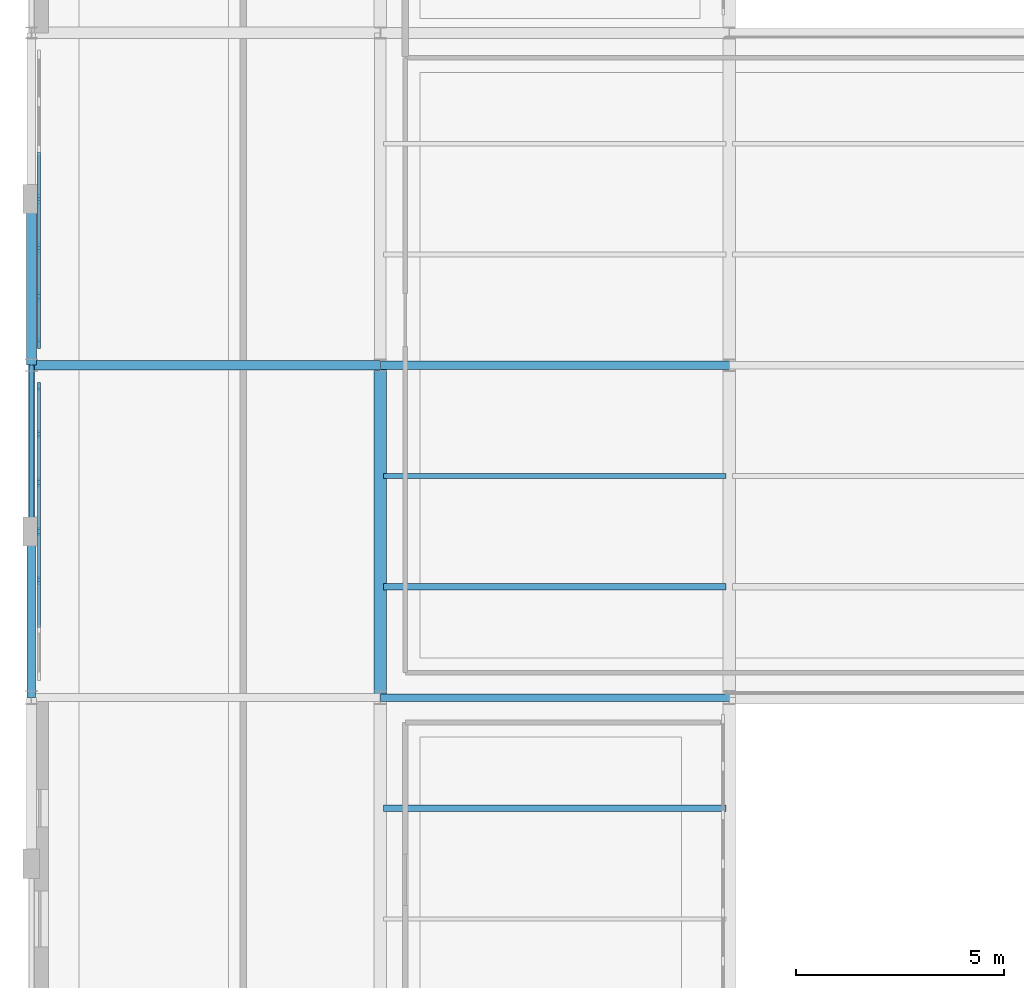
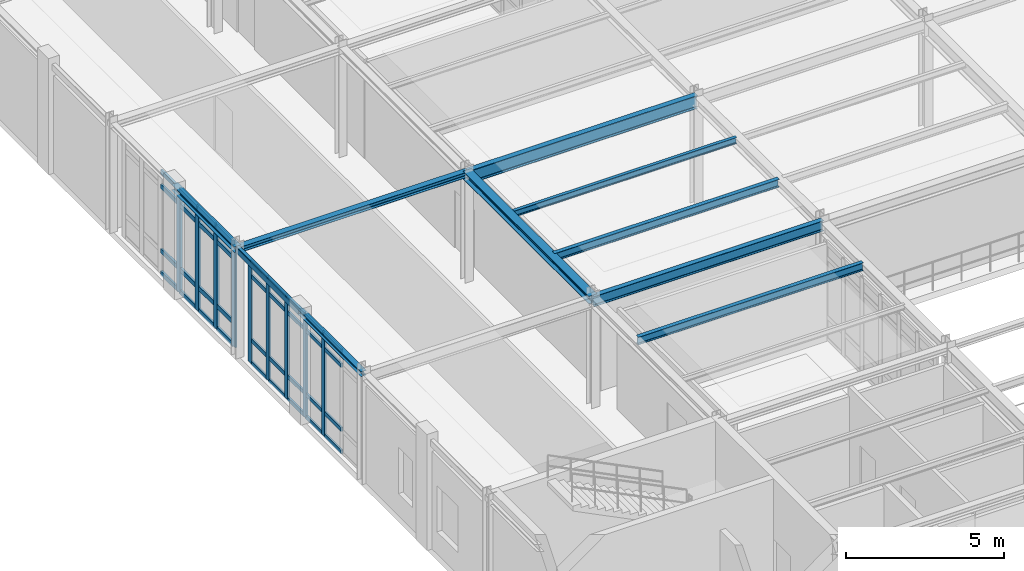
# One storey, part 29 of 106: 45 members, 10 beams, 2 elements without a shape of their own.
"""IFC4 building model written with IfcOpenShell, lengths in metres."""

from ifc_helpers import new_model, si_unit, derived_unit, direction, frame, origin, origin_2d, place, context, subcontext, project, spatial, rectangle, hollow_rectangle, i_section, extrude, material, layer, layer_set, material_profile, profile_set, type_object, element, aggregate, save


model = new_model("IFC4")

# Units and contexts
model_context = context("Model", 3, precision=1e-05, world=origin(), true_north=direction((0.0, 1.0)))
body_context = subcontext(model_context, "Body", "Model", "MODEL_VIEW")
ifc_project = project(units=[si_unit("LENGTHUNIT", "METRE"), si_unit("AREAUNIT", "SQUARE_METRE"), si_unit("VOLUMEUNIT", "CUBIC_METRE"), si_unit("PLANEANGLEUNIT", "RADIAN"), si_unit("MASSUNIT", "GRAM", prefix="KILO"), derived_unit("THERMALTRANSMITTANCEUNIT", [(si_unit("POWERUNIT", "WATT"), 1), (si_unit("AREAUNIT", "SQUARE_METRE"), -1), (si_unit("THERMODYNAMICTEMPERATUREUNIT", "KELVIN"), -1)])], contexts=[model_context])

# Site, building, storey
site_placement = place(None, origin())
site = spatial("IfcSite", under=ifc_project, at=site_placement, CompositionType="ELEMENT")
building_placement = place(site_placement, origin())
building = spatial("IfcBuilding", under=site, at=building_placement, Name="Yasenodar Specialist Clinic", CompositionType="ELEMENT")
storey_placement = place(building_placement, frame((0.0, 0.0, 4.5)))
storey = spatial("IfcBuildingStorey", under=building, at=storey_placement, Name="L01", CompositionType="ELEMENT", Elevation=4.5)

# Beams
ifc_material_1 = material(Name="Steel S355", Category="steel")
ifc_material_profile_1 = material_profile(ifc_material_1, i_section(OverallWidth=0.219970703125, OverallDepth=0.2099609375, WebThickness=0.007080078125, FlangeThickness=0.010986328125, FilletRadius=0.01806640625, at=origin_2d()), Name="HEA 220")
ifc_profile_set_1 = profile_set([ifc_material_profile_1], Name="Steel S355")
beam_type_1 = type_object("IfcBeamType", Name="BM-HEA220", PredefinedType="BEAM", material=ifc_profile_set_1)
beam_1_placement = place(storey_placement, frame((0.0, 58.800048828125, 4.14501953125), z_axis=(1.0, 0.0, 0.0), x_axis=(0.0, 1.0, 0.0)))
element("IfcBeam", 1, at=beam_1_placement, inside=storey, type_object=beam_type_1, Name="L01 Primary E-W Girder", PredefinedType="BEAM", context=body_context, shape_type="SweptSolid", body=[
    extrude(i_section(OverallWidth=0.219970703125, OverallDepth=0.2099609375, WebThickness=0.007080078125, FlangeThickness=0.010986328125, FilletRadius=0.01806640625, at=origin_2d()), origin(), (0.0, 0.0, 1.0), 8.39990234375),
])
ifc_material_profile_2 = material_profile(ifc_material_1, i_section(OverallWidth=0.300048828125, OverallDepth=0.300048828125, WebThickness=0.010986328125, FlangeThickness=0.01904296875, FilletRadius=0.027099609375, at=origin_2d()), Name="HEB 300")
ifc_profile_set_2 = profile_set([ifc_material_profile_2], Name="Steel S355")
beam_type_2 = type_object("IfcBeamType", Name="BM-HEB300", PredefinedType="BEAM", material=ifc_profile_set_2)
beam_2_placement = place(storey_placement, frame((8.39990234375, 50.800048828125, 4.10009765625), z_axis=(0.0, 1.0, 0.0), x_axis=(-1.0, 0.0, 0.0)))
element("IfcBeam", 2, at=beam_2_placement, inside=storey, type_object=beam_type_2, Name="L01 Primary N-S Girder", PredefinedType="BEAM", context=body_context, shape_type="SweptSolid", body=[
    extrude(i_section(OverallWidth=0.300048828125, OverallDepth=0.300048828125, WebThickness=0.010986328125, FlangeThickness=0.01904296875, FilletRadius=0.027099609375, at=origin_2d()), origin(), (0.0, 0.0, 1.0), 8.0),
])
ifc_material_profile_3 = material_profile(ifc_material_1, i_section(OverallWidth=0.179931640625, OverallDepth=0.39990234375, WebThickness=0.008544921875, FlangeThickness=0.013427734375, FilletRadius=0.02099609375, at=origin_2d()), Name="IPE 400")
ifc_profile_set_3 = profile_set([ifc_material_profile_3], Name="Steel S355")
beam_type_3 = type_object("IfcBeamType", Name="BM-IPE400", PredefinedType="BEAM", material=ifc_profile_set_3)
beam_3_placement = place(storey_placement, frame((8.39990234375, 50.800048828125, 4.050048828125), z_axis=(1.0, 0.0, 0.0), x_axis=(0.0, 1.0, 0.0)))
element("IfcBeam", 3, at=beam_3_placement, inside=storey, type_object=beam_type_3, Name="L01 Primary E-W Girder", PredefinedType="BEAM", context=body_context, shape_type="SweptSolid", body=[
    extrude(i_section(OverallWidth=0.179931640625, OverallDepth=0.39990234375, WebThickness=0.008544921875, FlangeThickness=0.013427734375, FilletRadius=0.02099609375, at=origin_2d()), origin(), (0.0, 0.0, 1.0), 8.400146484375),
])
ifc_material_profile_4 = material_profile(ifc_material_1, i_section(OverallWidth=0.199951171875, OverallDepth=0.5, WebThickness=0.01025390625, FlangeThickness=0.01611328125, FilletRadius=0.02099609375, at=origin_2d()), Name="IPE 500")
ifc_profile_set_4 = profile_set([ifc_material_profile_4], Name="Steel S355")
beam_type_4 = type_object("IfcBeamType", Name="BM-IPE500", PredefinedType="BEAM", material=ifc_profile_set_4)
beam_4_placement = place(storey_placement, frame((8.39990234375, 58.800048828125, 4.0), z_axis=(1.0, 0.0, 0.0), x_axis=(0.0, 1.0, 0.0)))
element("IfcBeam", 4, at=beam_4_placement, inside=storey, type_object=beam_type_4, Name="L01 Primary E-W Girder", PredefinedType="BEAM", context=body_context, shape_type="SweptSolid", body=[
    extrude(i_section(OverallWidth=0.199951171875, OverallDepth=0.5, WebThickness=0.01025390625, FlangeThickness=0.01611328125, FilletRadius=0.02099609375, at=origin_2d()), origin(), (0.0, 0.0, 1.0), 8.400146484375),
])

# Curtain wall, members
ifc_material_2 = material(Name="Bronze Anodized Aluminium and Triple Low-E Glass", Category="aluminium")
ifc_layer = layer(ifc_material_2, 0.22705078125)
ifc_layer_set = layer_set([ifc_layer], Name="Bronze Anodized Aluminium and Triple Low-E Glass")
curtain_wall_type = type_object("IfcCurtainWallType", Name="CW-SYS-06", PredefinedType="USERDEFINED", material=ifc_layer_set)
curtain_wall_1_placement = place(storey_placement, origin())
curtain_wall_1 = element("IfcCurtainWall", 5, at=curtain_wall_1_placement, inside=storey, type_object=curtain_wall_type, Name="L01 Unitised Curtain Wall 119", ObjectType="UNITISED CURTAIN WALL", PredefinedType="USERDEFINED")
ifc_material_3 = material(Name="Bronze Anodized Aluminium", Category="aluminium")
ifc_material_profile_5 = material_profile(ifc_material_3, rectangle(XDim=0.070068359375, YDim=0.199951171875, at=origin_2d()), Name="CW-MULL 70x200")
ifc_profile_set_5 = profile_set([ifc_material_profile_5], Name="Bronze Anodized Aluminium")
member_type_1 = type_object("IfcMemberType", Name="CW-MULL-200", PredefinedType="MULLION", material=ifc_profile_set_5)
member_1_placement = place(storey_placement, frame((0.179931640625, 53.626708984375, 0.0), z_axis=(0.0, 0.0, 1.0), x_axis=(-1.0, 0.0, 0.0)))
member_1 = element("IfcMember", 6, at=member_1_placement, type_object=member_type_1, Name="CW-06 mullion 3", PredefinedType="MULLION", context=body_context, shape_type="SweptSolid", body=[
    extrude(rectangle(XDim=0.070068359375, YDim=0.199951171875, at=origin_2d()), origin(), (0.0, 0.0, 1.0), 3.97802734375),
])
member_2_placement = place(storey_placement, frame((0.179931640625, 54.800048828125, 0.0), z_axis=(0.0, 0.0, 1.0), x_axis=(-1.0, 0.0, 0.0)))
member_2 = element("IfcMember", 7, at=member_2_placement, type_object=member_type_1, Name="CW-06 mullion 4", PredefinedType="MULLION", context=body_context, shape_type="SweptSolid", body=[
    extrude(rectangle(XDim=0.070068359375, YDim=0.199951171875, at=origin_2d()), origin(), (0.0, 0.0, 1.0), 3.97802734375),
])
member_3_placement = place(storey_placement, frame((0.179931640625, 55.973388671875, 0.0), z_axis=(0.0, 0.0, 1.0), x_axis=(-1.0, 0.0, 0.0)))
member_3 = element("IfcMember", 8, at=member_3_placement, type_object=member_type_1, Name="CW-06 mullion 5", PredefinedType="MULLION", context=body_context, shape_type="SweptSolid", body=[
    extrude(rectangle(XDim=0.070068359375, YDim=0.199951171875, at=origin_2d()), origin(), (0.0, 0.0, 1.0), 3.97802734375),
])
member_4_placement = place(storey_placement, frame((0.179931640625, 57.146728515625, 0.0), z_axis=(0.0, 0.0, 1.0), x_axis=(-1.0, 0.0, 0.0)))
member_4 = element("IfcMember", 9, at=member_4_placement, type_object=member_type_1, Name="CW-06 mullion 6", PredefinedType="MULLION", context=body_context, shape_type="SweptSolid", body=[
    extrude(rectangle(XDim=0.070068359375, YDim=0.199951171875, at=origin_2d()), origin(), (0.0, 0.0, 1.0), 3.97802734375),
])
member_5_placement = place(storey_placement, frame((0.179931640625, 58.284912109375, 0.0), z_axis=(0.0, 0.0, 1.0), x_axis=(-1.0, 0.0, 0.0)))
member_5 = element("IfcMember", 10, at=member_5_placement, type_object=member_type_1, Name="CW-06 mullion 7", PredefinedType="MULLION", context=body_context, shape_type="SweptSolid", body=[
    extrude(rectangle(XDim=0.070068359375, YDim=0.199951171875, at=origin_2d()), origin(), (0.0, 0.0, 1.0), 3.97802734375),
])

curtain_wall_2_placement = place(storey_placement, origin())
curtain_wall_2 = element("IfcCurtainWall", 11, at=curtain_wall_2_placement, inside=storey, type_object=curtain_wall_type, Name="L01 Unitised Curtain Wall 120", ObjectType="UNITISED CURTAIN WALL", PredefinedType="USERDEFINED")
ifc_material_profile_6 = material_profile(ifc_material_3, rectangle(XDim=0.074951171875, YDim=0.22509765625, at=origin_2d()), Name="CW-MULL 75x225")
ifc_profile_set_6 = profile_set([ifc_material_profile_6], Name="Bronze Anodized Aluminium")
member_type_2 = type_object("IfcMemberType", Name="CW-MULL-225", PredefinedType="MULLION", material=ifc_profile_set_6)
member_6_placement = place(storey_placement, frame((0.179931640625, 59.3173828125, 0.0), z_axis=(0.0, 0.0, 1.0), x_axis=(-1.0, 0.0, 0.0)))
member_6 = element("IfcMember", 12, at=member_6_placement, type_object=member_type_2, Name="CW-06 mullion 1", PredefinedType="MULLION", context=body_context, shape_type="SweptSolid", body=[
    extrude(rectangle(XDim=0.074951171875, YDim=0.22509765625, at=origin_2d()), origin(), (0.0, 0.0, 1.0), 3.998046875),
])
member_7_placement = place(storey_placement, frame((0.179931640625, 60.453369140625, 0.0), z_axis=(0.0, 0.0, 1.0), x_axis=(-1.0, 0.0, 0.0)))
member_7 = element("IfcMember", 13, at=member_7_placement, type_object=member_type_2, Name="CW-06 mullion 2", PredefinedType="MULLION", context=body_context, shape_type="SweptSolid", body=[
    extrude(rectangle(XDim=0.074951171875, YDim=0.22509765625, at=origin_2d()), origin(), (0.0, 0.0, 1.0), 3.998046875),
])
member_8_placement = place(storey_placement, frame((0.179931640625, 61.626708984375, 0.0), z_axis=(0.0, 0.0, 1.0), x_axis=(-1.0, 0.0, 0.0)))
member_8 = element("IfcMember", 14, at=member_8_placement, type_object=member_type_2, Name="CW-06 mullion 3", PredefinedType="MULLION", context=body_context, shape_type="SweptSolid", body=[
    extrude(rectangle(XDim=0.074951171875, YDim=0.22509765625, at=origin_2d()), origin(), (0.0, 0.0, 1.0), 3.998046875),
])
member_9_placement = place(storey_placement, frame((0.179931640625, 62.800048828125, 0.0), z_axis=(0.0, 0.0, 1.0), x_axis=(-1.0, 0.0, 0.0)))
member_9 = element("IfcMember", 15, at=member_9_placement, type_object=member_type_2, Name="CW-06 mullion 4", PredefinedType="MULLION", context=body_context, shape_type="SweptSolid", body=[
    extrude(rectangle(XDim=0.074951171875, YDim=0.22509765625, at=origin_2d()), origin(), (0.0, 0.0, 1.0), 3.998046875),
])

# Member
ifc_material_profile_7 = material_profile(ifc_material_3, rectangle(XDim=0.070068359375, YDim=0.14990234375, at=origin_2d()), Name="CW-TRAN 70x150")
ifc_profile_set_7 = profile_set([ifc_material_profile_7], Name="Bronze Anodized Aluminium")
member_type_3 = type_object("IfcMemberType", Name="CW-TRAN-150", PredefinedType="USERDEFINED", material=ifc_profile_set_7)
member_10_placement = place(storey_placement, frame((0.179931640625, 52.48828125, 0.034912109375), z_axis=(0.0, 1.0, 0.0), x_axis=(-1.0, 0.0, 0.0)))
member_10 = element("IfcMember", 16, at=member_10_placement, type_object=member_type_3, Name="CW-06 transom 2.1", ObjectType="TRANSOM", PredefinedType="USERDEFINED", context=body_context, shape_type="SweptSolid", body=[
    extrude(rectangle(XDim=0.070068359375, YDim=0.14990234375, at=origin_2d()), origin(), (0.0, 0.0, 1.0), 1.103271484375),
])

member_11_placement = place(storey_placement, frame((0.179931640625, 52.48828125, 0.89990234375), z_axis=(0.0, 1.0, 0.0), x_axis=(-1.0, 0.0, 0.0)))
member_11 = element("IfcMember", 17, at=member_11_placement, type_object=member_type_3, Name="CW-06 transom 2.2", ObjectType="TRANSOM", PredefinedType="USERDEFINED", context=body_context, shape_type="SweptSolid", body=[
    extrude(rectangle(XDim=0.070068359375, YDim=0.14990234375, at=origin_2d()), origin(), (0.0, 0.0, 1.0), 1.103271484375),
])

member_12_placement = place(storey_placement, frame((0.179931640625, 52.48828125, 3.3779296875), z_axis=(0.0, 1.0, 0.0), x_axis=(-1.0, 0.0, 0.0)))
member_12 = element("IfcMember", 18, at=member_12_placement, type_object=member_type_3, Name="CW-06 transom 2.3", ObjectType="TRANSOM", PredefinedType="USERDEFINED", context=body_context, shape_type="SweptSolid", body=[
    extrude(rectangle(XDim=0.070068359375, YDim=0.14990234375, at=origin_2d()), origin(), (0.0, 0.0, 1.0), 1.103271484375),
])

member_13_placement = place(storey_placement, frame((0.179931640625, 52.48828125, 3.943115234375), z_axis=(0.0, 1.0, 0.0), x_axis=(-1.0, 0.0, 0.0)))
member_13 = element("IfcMember", 19, at=member_13_placement, type_object=member_type_3, Name="CW-06 transom 2.4", ObjectType="TRANSOM", PredefinedType="USERDEFINED", context=body_context, shape_type="SweptSolid", body=[
    extrude(rectangle(XDim=0.070068359375, YDim=0.14990234375, at=origin_2d()), origin(), (0.0, 0.0, 1.0), 1.103271484375),
])

member_14_placement = place(storey_placement, frame((0.179931640625, 53.66162109375, 0.034912109375), z_axis=(0.0, 1.0, 0.0), x_axis=(-1.0, 0.0, 0.0)))
member_14 = element("IfcMember", 20, at=member_14_placement, type_object=member_type_3, Name="CW-06 transom 3.1", ObjectType="TRANSOM", PredefinedType="USERDEFINED", context=body_context, shape_type="SweptSolid", body=[
    extrude(rectangle(XDim=0.070068359375, YDim=0.14990234375, at=origin_2d()), origin(), (0.0, 0.0, 1.0), 1.103271484375),
])

member_15_placement = place(storey_placement, frame((0.179931640625, 53.66162109375, 0.89990234375), z_axis=(0.0, 1.0, 0.0), x_axis=(-1.0, 0.0, 0.0)))
member_15 = element("IfcMember", 21, at=member_15_placement, type_object=member_type_3, Name="CW-06 transom 3.2", ObjectType="TRANSOM", PredefinedType="USERDEFINED", context=body_context, shape_type="SweptSolid", body=[
    extrude(rectangle(XDim=0.070068359375, YDim=0.14990234375, at=origin_2d()), origin(), (0.0, 0.0, 1.0), 1.103271484375),
])

member_16_placement = place(storey_placement, frame((0.179931640625, 53.66162109375, 3.3779296875), z_axis=(0.0, 1.0, 0.0), x_axis=(-1.0, 0.0, 0.0)))
member_16 = element("IfcMember", 22, at=member_16_placement, type_object=member_type_3, Name="CW-06 transom 3.3", ObjectType="TRANSOM", PredefinedType="USERDEFINED", context=body_context, shape_type="SweptSolid", body=[
    extrude(rectangle(XDim=0.070068359375, YDim=0.14990234375, at=origin_2d()), origin(), (0.0, 0.0, 1.0), 1.103271484375),
])

member_17_placement = place(storey_placement, frame((0.179931640625, 53.66162109375, 3.943115234375), z_axis=(0.0, 1.0, 0.0), x_axis=(-1.0, 0.0, 0.0)))
member_17 = element("IfcMember", 23, at=member_17_placement, type_object=member_type_3, Name="CW-06 transom 3.4", ObjectType="TRANSOM", PredefinedType="USERDEFINED", context=body_context, shape_type="SweptSolid", body=[
    extrude(rectangle(XDim=0.070068359375, YDim=0.14990234375, at=origin_2d()), origin(), (0.0, 0.0, 1.0), 1.103271484375),
])

member_18_placement = place(storey_placement, frame((0.179931640625, 54.8349609375, 0.034912109375), z_axis=(0.0, 1.0, 0.0), x_axis=(-1.0, 0.0, 0.0)))
member_18 = element("IfcMember", 24, at=member_18_placement, type_object=member_type_3, Name="CW-06 transom 4.1", ObjectType="TRANSOM", PredefinedType="USERDEFINED", context=body_context, shape_type="SweptSolid", body=[
    extrude(rectangle(XDim=0.070068359375, YDim=0.14990234375, at=origin_2d()), origin(), (0.0, 0.0, 1.0), 1.103271484375),
])

member_19_placement = place(storey_placement, frame((0.179931640625, 54.8349609375, 0.89990234375), z_axis=(0.0, 1.0, 0.0), x_axis=(-1.0, 0.0, 0.0)))
member_19 = element("IfcMember", 25, at=member_19_placement, type_object=member_type_3, Name="CW-06 transom 4.2", ObjectType="TRANSOM", PredefinedType="USERDEFINED", context=body_context, shape_type="SweptSolid", body=[
    extrude(rectangle(XDim=0.070068359375, YDim=0.14990234375, at=origin_2d()), origin(), (0.0, 0.0, 1.0), 1.103271484375),
])

member_20_placement = place(storey_placement, frame((0.179931640625, 54.8349609375, 3.3779296875), z_axis=(0.0, 1.0, 0.0), x_axis=(-1.0, 0.0, 0.0)))
member_20 = element("IfcMember", 26, at=member_20_placement, type_object=member_type_3, Name="CW-06 transom 4.3", ObjectType="TRANSOM", PredefinedType="USERDEFINED", context=body_context, shape_type="SweptSolid", body=[
    extrude(rectangle(XDim=0.070068359375, YDim=0.14990234375, at=origin_2d()), origin(), (0.0, 0.0, 1.0), 1.103271484375),
])

member_21_placement = place(storey_placement, frame((0.179931640625, 54.8349609375, 3.943115234375), z_axis=(0.0, 1.0, 0.0), x_axis=(-1.0, 0.0, 0.0)))
member_21 = element("IfcMember", 27, at=member_21_placement, type_object=member_type_3, Name="CW-06 transom 4.4", ObjectType="TRANSOM", PredefinedType="USERDEFINED", context=body_context, shape_type="SweptSolid", body=[
    extrude(rectangle(XDim=0.070068359375, YDim=0.14990234375, at=origin_2d()), origin(), (0.0, 0.0, 1.0), 1.103271484375),
])

member_22_placement = place(storey_placement, frame((0.179931640625, 56.00830078125, 0.034912109375), z_axis=(0.0, 1.0, 0.0), x_axis=(-1.0, 0.0, 0.0)))
member_22 = element("IfcMember", 28, at=member_22_placement, type_object=member_type_3, Name="CW-06 transom 5.1", ObjectType="TRANSOM", PredefinedType="USERDEFINED", context=body_context, shape_type="SweptSolid", body=[
    extrude(rectangle(XDim=0.070068359375, YDim=0.14990234375, at=origin_2d()), origin(), (0.0, 0.0, 1.0), 1.103271484375),
])

member_23_placement = place(storey_placement, frame((0.179931640625, 56.00830078125, 0.89990234375), z_axis=(0.0, 1.0, 0.0), x_axis=(-1.0, 0.0, 0.0)))
member_23 = element("IfcMember", 29, at=member_23_placement, type_object=member_type_3, Name="CW-06 transom 5.2", ObjectType="TRANSOM", PredefinedType="USERDEFINED", context=body_context, shape_type="SweptSolid", body=[
    extrude(rectangle(XDim=0.070068359375, YDim=0.14990234375, at=origin_2d()), origin(), (0.0, 0.0, 1.0), 1.103271484375),
])

member_24_placement = place(storey_placement, frame((0.179931640625, 56.00830078125, 3.3779296875), z_axis=(0.0, 1.0, 0.0), x_axis=(-1.0, 0.0, 0.0)))
member_24 = element("IfcMember", 30, at=member_24_placement, type_object=member_type_3, Name="CW-06 transom 5.3", ObjectType="TRANSOM", PredefinedType="USERDEFINED", context=body_context, shape_type="SweptSolid", body=[
    extrude(rectangle(XDim=0.070068359375, YDim=0.14990234375, at=origin_2d()), origin(), (0.0, 0.0, 1.0), 1.103271484375),
])

member_25_placement = place(storey_placement, frame((0.179931640625, 56.00830078125, 3.943115234375), z_axis=(0.0, 1.0, 0.0), x_axis=(-1.0, 0.0, 0.0)))
member_25 = element("IfcMember", 31, at=member_25_placement, type_object=member_type_3, Name="CW-06 transom 5.4", ObjectType="TRANSOM", PredefinedType="USERDEFINED", context=body_context, shape_type="SweptSolid", body=[
    extrude(rectangle(XDim=0.070068359375, YDim=0.14990234375, at=origin_2d()), origin(), (0.0, 0.0, 1.0), 1.103271484375),
])

member_26_placement = place(storey_placement, frame((0.179931640625, 57.181640625, 0.034912109375), z_axis=(0.0, 1.0, 0.0), x_axis=(-1.0, 0.0, 0.0)))
member_26 = element("IfcMember", 32, at=member_26_placement, type_object=member_type_3, Name="CW-06 transom 6.1", ObjectType="TRANSOM", PredefinedType="USERDEFINED", context=body_context, shape_type="SweptSolid", body=[
    extrude(rectangle(XDim=0.070068359375, YDim=0.14990234375, at=origin_2d()), origin(), (0.0, 0.0, 1.0), 1.068359375),
])

member_27_placement = place(storey_placement, frame((0.179931640625, 57.181640625, 0.89990234375), z_axis=(0.0, 1.0, 0.0), x_axis=(-1.0, 0.0, 0.0)))
member_27 = element("IfcMember", 33, at=member_27_placement, type_object=member_type_3, Name="CW-06 transom 6.2", ObjectType="TRANSOM", PredefinedType="USERDEFINED", context=body_context, shape_type="SweptSolid", body=[
    extrude(rectangle(XDim=0.070068359375, YDim=0.14990234375, at=origin_2d()), origin(), (0.0, 0.0, 1.0), 1.068359375),
])

member_28_placement = place(storey_placement, frame((0.179931640625, 57.181640625, 3.3779296875), z_axis=(0.0, 1.0, 0.0), x_axis=(-1.0, 0.0, 0.0)))
member_28 = element("IfcMember", 34, at=member_28_placement, type_object=member_type_3, Name="CW-06 transom 6.3", ObjectType="TRANSOM", PredefinedType="USERDEFINED", context=body_context, shape_type="SweptSolid", body=[
    extrude(rectangle(XDim=0.070068359375, YDim=0.14990234375, at=origin_2d()), origin(), (0.0, 0.0, 1.0), 1.068359375),
])

member_29_placement = place(storey_placement, frame((0.179931640625, 57.181640625, 3.943115234375), z_axis=(0.0, 1.0, 0.0), x_axis=(-1.0, 0.0, 0.0)))
member_29 = element("IfcMember", 35, at=member_29_placement, type_object=member_type_3, Name="CW-06 transom 6.4", ObjectType="TRANSOM", PredefinedType="USERDEFINED", context=body_context, shape_type="SweptSolid", body=[
    extrude(rectangle(XDim=0.070068359375, YDim=0.14990234375, at=origin_2d()), origin(), (0.0, 0.0, 1.0), 1.068359375),
])

aggregate(curtain_wall_1, [member_1, member_2, member_3, member_4, member_5, member_10, member_11, member_12, member_13, member_14, member_15, member_16, member_17, member_18, member_19, member_20, member_21, member_22, member_23, member_24, member_25, member_26, member_27, member_28, member_29])

ifc_material_profile_8 = material_profile(ifc_material_3, rectangle(XDim=0.074951171875, YDim=0.175048828125, at=origin_2d()), Name="CW-TRAN 75x175")
ifc_profile_set_8 = profile_set([ifc_material_profile_8], Name="Bronze Anodized Aluminium")
member_type_4 = type_object("IfcMemberType", Name="CW-TRAN-175", PredefinedType="USERDEFINED", material=ifc_profile_set_8)
member_30_placement = place(storey_placement, frame((0.179931640625, 59.35498046875, 0.03759765625), z_axis=(0.0, 1.0, 0.0), x_axis=(-1.0, 0.0, 0.0)))
member_30 = element("IfcMember", 36, at=member_30_placement, type_object=member_type_4, Name="CW-06 transom 1.1", ObjectType="TRANSOM", PredefinedType="USERDEFINED", context=body_context, shape_type="SweptSolid", body=[
    extrude(rectangle(XDim=0.074951171875, YDim=0.175048828125, at=origin_2d()), origin(), (0.0, 0.0, 1.0), 1.060791015625),
])

member_31_placement = place(storey_placement, frame((0.179931640625, 59.35498046875, 0.89990234375), z_axis=(0.0, 1.0, 0.0), x_axis=(-1.0, 0.0, 0.0)))
member_31 = element("IfcMember", 37, at=member_31_placement, type_object=member_type_4, Name="CW-06 transom 1.2", ObjectType="TRANSOM", PredefinedType="USERDEFINED", context=body_context, shape_type="SweptSolid", body=[
    extrude(rectangle(XDim=0.074951171875, YDim=0.175048828125, at=origin_2d()), origin(), (0.0, 0.0, 1.0), 1.060791015625),
])

member_32_placement = place(storey_placement, frame((0.179931640625, 59.35498046875, 3.39794921875), z_axis=(0.0, 1.0, 0.0), x_axis=(-1.0, 0.0, 0.0)))
member_32 = element("IfcMember", 38, at=member_32_placement, type_object=member_type_4, Name="CW-06 transom 1.3", ObjectType="TRANSOM", PredefinedType="USERDEFINED", context=body_context, shape_type="SweptSolid", body=[
    extrude(rectangle(XDim=0.074951171875, YDim=0.175048828125, at=origin_2d()), origin(), (0.0, 0.0, 1.0), 1.060791015625),
])

member_33_placement = place(storey_placement, frame((0.179931640625, 59.35498046875, 3.96044921875), z_axis=(0.0, 1.0, 0.0), x_axis=(-1.0, 0.0, 0.0)))
member_33 = element("IfcMember", 39, at=member_33_placement, type_object=member_type_4, Name="CW-06 transom 1.4", ObjectType="TRANSOM", PredefinedType="USERDEFINED", context=body_context, shape_type="SweptSolid", body=[
    extrude(rectangle(XDim=0.074951171875, YDim=0.175048828125, at=origin_2d()), origin(), (0.0, 0.0, 1.0), 1.060791015625),
])

member_34_placement = place(storey_placement, frame((0.179931640625, 60.49072265625, 0.03759765625), z_axis=(0.0, 1.0, 0.0), x_axis=(-1.0, 0.0, 0.0)))
member_34 = element("IfcMember", 40, at=member_34_placement, type_object=member_type_4, Name="CW-06 transom 2.1", ObjectType="TRANSOM", PredefinedType="USERDEFINED", context=body_context, shape_type="SweptSolid", body=[
    extrude(rectangle(XDim=0.074951171875, YDim=0.175048828125, at=origin_2d()), origin(), (0.0, 0.0, 1.0), 1.098388671875),
])

member_35_placement = place(storey_placement, frame((0.179931640625, 60.49072265625, 0.89990234375), z_axis=(0.0, 1.0, 0.0), x_axis=(-1.0, 0.0, 0.0)))
member_35 = element("IfcMember", 41, at=member_35_placement, type_object=member_type_4, Name="CW-06 transom 2.2", ObjectType="TRANSOM", PredefinedType="USERDEFINED", context=body_context, shape_type="SweptSolid", body=[
    extrude(rectangle(XDim=0.074951171875, YDim=0.175048828125, at=origin_2d()), origin(), (0.0, 0.0, 1.0), 1.098388671875),
])

member_36_placement = place(storey_placement, frame((0.179931640625, 60.49072265625, 3.39794921875), z_axis=(0.0, 1.0, 0.0), x_axis=(-1.0, 0.0, 0.0)))
member_36 = element("IfcMember", 42, at=member_36_placement, type_object=member_type_4, Name="CW-06 transom 2.3", ObjectType="TRANSOM", PredefinedType="USERDEFINED", context=body_context, shape_type="SweptSolid", body=[
    extrude(rectangle(XDim=0.074951171875, YDim=0.175048828125, at=origin_2d()), origin(), (0.0, 0.0, 1.0), 1.098388671875),
])

member_37_placement = place(storey_placement, frame((0.179931640625, 60.49072265625, 3.96044921875), z_axis=(0.0, 1.0, 0.0), x_axis=(-1.0, 0.0, 0.0)))
member_37 = element("IfcMember", 43, at=member_37_placement, type_object=member_type_4, Name="CW-06 transom 2.4", ObjectType="TRANSOM", PredefinedType="USERDEFINED", context=body_context, shape_type="SweptSolid", body=[
    extrude(rectangle(XDim=0.074951171875, YDim=0.175048828125, at=origin_2d()), origin(), (0.0, 0.0, 1.0), 1.098388671875),
])

member_38_placement = place(storey_placement, frame((0.179931640625, 61.6640625, 0.03759765625), z_axis=(0.0, 1.0, 0.0), x_axis=(-1.0, 0.0, 0.0)))
member_38 = element("IfcMember", 44, at=member_38_placement, type_object=member_type_4, Name="CW-06 transom 3.1", ObjectType="TRANSOM", PredefinedType="USERDEFINED", context=body_context, shape_type="SweptSolid", body=[
    extrude(rectangle(XDim=0.074951171875, YDim=0.175048828125, at=origin_2d()), origin(), (0.0, 0.0, 1.0), 1.098388671875),
])

member_39_placement = place(storey_placement, frame((0.179931640625, 61.6640625, 0.89990234375), z_axis=(0.0, 1.0, 0.0), x_axis=(-1.0, 0.0, 0.0)))
member_39 = element("IfcMember", 45, at=member_39_placement, type_object=member_type_4, Name="CW-06 transom 3.2", ObjectType="TRANSOM", PredefinedType="USERDEFINED", context=body_context, shape_type="SweptSolid", body=[
    extrude(rectangle(XDim=0.074951171875, YDim=0.175048828125, at=origin_2d()), origin(), (0.0, 0.0, 1.0), 1.098388671875),
])

member_40_placement = place(storey_placement, frame((0.179931640625, 61.6640625, 3.39794921875), z_axis=(0.0, 1.0, 0.0), x_axis=(-1.0, 0.0, 0.0)))
member_40 = element("IfcMember", 46, at=member_40_placement, type_object=member_type_4, Name="CW-06 transom 3.3", ObjectType="TRANSOM", PredefinedType="USERDEFINED", context=body_context, shape_type="SweptSolid", body=[
    extrude(rectangle(XDim=0.074951171875, YDim=0.175048828125, at=origin_2d()), origin(), (0.0, 0.0, 1.0), 1.098388671875),
])

member_41_placement = place(storey_placement, frame((0.179931640625, 61.6640625, 3.96044921875), z_axis=(0.0, 1.0, 0.0), x_axis=(-1.0, 0.0, 0.0)))
member_41 = element("IfcMember", 47, at=member_41_placement, type_object=member_type_4, Name="CW-06 transom 3.4", ObjectType="TRANSOM", PredefinedType="USERDEFINED", context=body_context, shape_type="SweptSolid", body=[
    extrude(rectangle(XDim=0.074951171875, YDim=0.175048828125, at=origin_2d()), origin(), (0.0, 0.0, 1.0), 1.098388671875),
])

member_42_placement = place(storey_placement, frame((0.179931640625, 62.83740234375, 0.03759765625), z_axis=(0.0, 1.0, 0.0), x_axis=(-1.0, 0.0, 0.0)))
member_42 = element("IfcMember", 48, at=member_42_placement, type_object=member_type_4, Name="CW-06 transom 4.1", ObjectType="TRANSOM", PredefinedType="USERDEFINED", context=body_context, shape_type="SweptSolid", body=[
    extrude(rectangle(XDim=0.074951171875, YDim=0.175048828125, at=origin_2d()), origin(), (0.0, 0.0, 1.0), 1.098388671875),
])

member_43_placement = place(storey_placement, frame((0.179931640625, 62.83740234375, 0.89990234375), z_axis=(0.0, 1.0, 0.0), x_axis=(-1.0, 0.0, 0.0)))
member_43 = element("IfcMember", 49, at=member_43_placement, type_object=member_type_4, Name="CW-06 transom 4.2", ObjectType="TRANSOM", PredefinedType="USERDEFINED", context=body_context, shape_type="SweptSolid", body=[
    extrude(rectangle(XDim=0.074951171875, YDim=0.175048828125, at=origin_2d()), origin(), (0.0, 0.0, 1.0), 1.098388671875),
])

member_44_placement = place(storey_placement, frame((0.179931640625, 62.83740234375, 3.39794921875), z_axis=(0.0, 1.0, 0.0), x_axis=(-1.0, 0.0, 0.0)))
member_44 = element("IfcMember", 50, at=member_44_placement, type_object=member_type_4, Name="CW-06 transom 4.3", ObjectType="TRANSOM", PredefinedType="USERDEFINED", context=body_context, shape_type="SweptSolid", body=[
    extrude(rectangle(XDim=0.074951171875, YDim=0.175048828125, at=origin_2d()), origin(), (0.0, 0.0, 1.0), 1.098388671875),
])

member_45_placement = place(storey_placement, frame((0.179931640625, 62.83740234375, 3.96044921875), z_axis=(0.0, 1.0, 0.0), x_axis=(-1.0, 0.0, 0.0)))
member_45 = element("IfcMember", 51, at=member_45_placement, type_object=member_type_4, Name="CW-06 transom 4.4", ObjectType="TRANSOM", PredefinedType="USERDEFINED", context=body_context, shape_type="SweptSolid", body=[
    extrude(rectangle(XDim=0.074951171875, YDim=0.175048828125, at=origin_2d()), origin(), (0.0, 0.0, 1.0), 1.098388671875),
])

aggregate(curtain_wall_2, [member_6, member_7, member_8, member_9, member_30, member_31, member_32, member_33, member_34, member_35, member_36, member_37, member_38, member_39, member_40, member_41, member_42, member_43, member_44, member_45])

# Beams
ifc_material_profile_9 = material_profile(ifc_material_1, i_section(OverallWidth=0.1201171875, OverallDepth=0.239990234375, WebThickness=0.006103515625, FlangeThickness=0.009765625, FilletRadius=0.014892578125, at=origin_2d()), Name="IPE 240")
ifc_profile_set_9 = profile_set([ifc_material_profile_9], Name="Steel S355")
beam_type_5 = type_object("IfcBeamType", Name="JS-IPE240", PredefinedType="JOIST", material=ifc_profile_set_9)
beam_5_placement = place(storey_placement, frame((8.47998046875, 56.13330078125, 4.1298828125), z_axis=(1.0, 0.0, 0.0), x_axis=(0.0, 1.0, 0.0)))
element("IfcBeam", 52, at=beam_5_placement, inside=storey, type_object=beam_type_5, Name="L01 Composite Floor Joist", PredefinedType="JOIST", context=body_context, shape_type="SweptSolid", body=[
    extrude(i_section(OverallWidth=0.1201171875, OverallDepth=0.239990234375, WebThickness=0.006103515625, FlangeThickness=0.009765625, FilletRadius=0.014892578125, at=origin_2d()), origin(), (0.0, 0.0, 1.0), 8.239990234375),
])
ifc_material_profile_10 = material_profile(ifc_material_1, i_section(OverallWidth=0.14990234375, OverallDepth=0.300048828125, WebThickness=0.007080078125, FlangeThickness=0.0107421875, FilletRadius=0.014892578125, at=origin_2d()), Name="IPE 300")
ifc_profile_set_10 = profile_set([ifc_material_profile_10], Name="Steel S355")
beam_type_6 = type_object("IfcBeamType", Name="JS-IPE300", PredefinedType="JOIST", material=ifc_profile_set_10)
for number, where, z_axis, x_axis, name in (
    (53, (8.47998046875, 48.13330078125, 4.10009765625), (1.0, 0.0, 0.0), (0.0, 1.0, 0.0), "L01 Composite Floor Joist"),
    (54, (8.47998046875, 53.466796875, 4.10009765625), (1.0, 0.0, 0.0), (0.0, 1.0, 0.0), "L01 Composite Floor Joist"),
):
    element("IfcBeam", number, at=place(storey_placement, frame(where, z_axis=z_axis, x_axis=x_axis)), inside=storey, type_object=beam_type_6, Name=name, PredefinedType="JOIST", context=body_context, shape_type="SweptSolid", body=[
        extrude(i_section(OverallWidth=0.14990234375, OverallDepth=0.300048828125, WebThickness=0.007080078125, FlangeThickness=0.0107421875, FilletRadius=0.014892578125, at=origin_2d()), origin(), (0.0, 0.0, 1.0), 8.239990234375),
    ])
ifc_material_profile_11 = material_profile(ifc_material_1, i_section(OverallWidth=0.199951171875, OverallDepth=0.18994140625, WebThickness=0.006591796875, FlangeThickness=0.010009765625, FilletRadius=0.01806640625, at=origin_2d()), Name="HEA 200")
ifc_profile_set_11 = profile_set([ifc_material_profile_11], Name="Steel S355")
beam_type_7 = type_object("IfcBeamType", Name="SP-HEA200", PredefinedType="SPANDREL", material=ifc_profile_set_11)
beam_6_placement = place(storey_placement, frame((0.0, 50.800048828125, 4.155029296875), z_axis=(0.0, 1.0, 0.0), x_axis=(-1.0, 0.0, 0.0)))
element("IfcBeam", 55, at=beam_6_placement, inside=storey, type_object=beam_type_7, Name="L01 Perimeter Spandrel Beam", PredefinedType="SPANDREL", context=body_context, shape_type="SweptSolid", body=[
    extrude(i_section(OverallWidth=0.199951171875, OverallDepth=0.18994140625, WebThickness=0.006591796875, FlangeThickness=0.010009765625, FilletRadius=0.01806640625, at=origin_2d()), origin(), (0.0, 0.0, 1.0), 4.0),
])
ifc_material_profile_12 = material_profile(ifc_material_1, i_section(OverallWidth=0.239990234375, OverallDepth=0.22998046875, WebThickness=0.007568359375, FlangeThickness=0.011962890625, FilletRadius=0.02099609375, at=origin_2d()), Name="HEA 240")
ifc_profile_set_12 = profile_set([ifc_material_profile_12], Name="Steel S355")
beam_type_8 = type_object("IfcBeamType", Name="SP-HEA240", PredefinedType="SPANDREL", material=ifc_profile_set_12)
beam_7_placement = place(storey_placement, frame((0.0, 58.800048828125, 4.135009765625), z_axis=(0.0, 1.0, 0.0), x_axis=(-1.0, 0.0, 0.0)))
element("IfcBeam", 56, at=beam_7_placement, inside=storey, type_object=beam_type_8, Name="L01 Perimeter Spandrel Beam", PredefinedType="SPANDREL", context=body_context, shape_type="SweptSolid", body=[
    extrude(i_section(OverallWidth=0.239990234375, OverallDepth=0.22998046875, WebThickness=0.007568359375, FlangeThickness=0.011962890625, FilletRadius=0.02099609375, at=origin_2d()), origin(), (0.0, 0.0, 1.0), 4.0),
])
ifc_material_profile_13 = material_profile(ifc_material_1, hollow_rectangle(XDim=0.14990234375, YDim=0.25, WallThickness=0.010009765625, InnerFilletRadius=0.014892578125, OuterFilletRadius=0.02490234375, at=origin_2d()), Name="RHS 250x150x10")
ifc_profile_set_13 = profile_set([ifc_material_profile_13], Name="Steel S355")
beam_type_9 = type_object("IfcBeamType", Name="SP-RHS250", PredefinedType="SPANDREL", material=ifc_profile_set_13)
beam_8_placement = place(storey_placement, frame((0.0, 54.800048828125, 4.125), z_axis=(0.0, 1.0, 0.0), x_axis=(-1.0, 0.0, 0.0)))
element("IfcBeam", 57, at=beam_8_placement, inside=storey, type_object=beam_type_9, Name="L01 Perimeter Spandrel Beam", PredefinedType="SPANDREL", context=body_context, shape_type="SweptSolid", body=[
    extrude(hollow_rectangle(XDim=0.14990234375, YDim=0.25, WallThickness=0.010009765625, InnerFilletRadius=0.014892578125, OuterFilletRadius=0.02490234375, at=origin_2d()), origin(), (0.0, 0.0, 1.0), 4.0),
])

save(model, "model.ifc")
